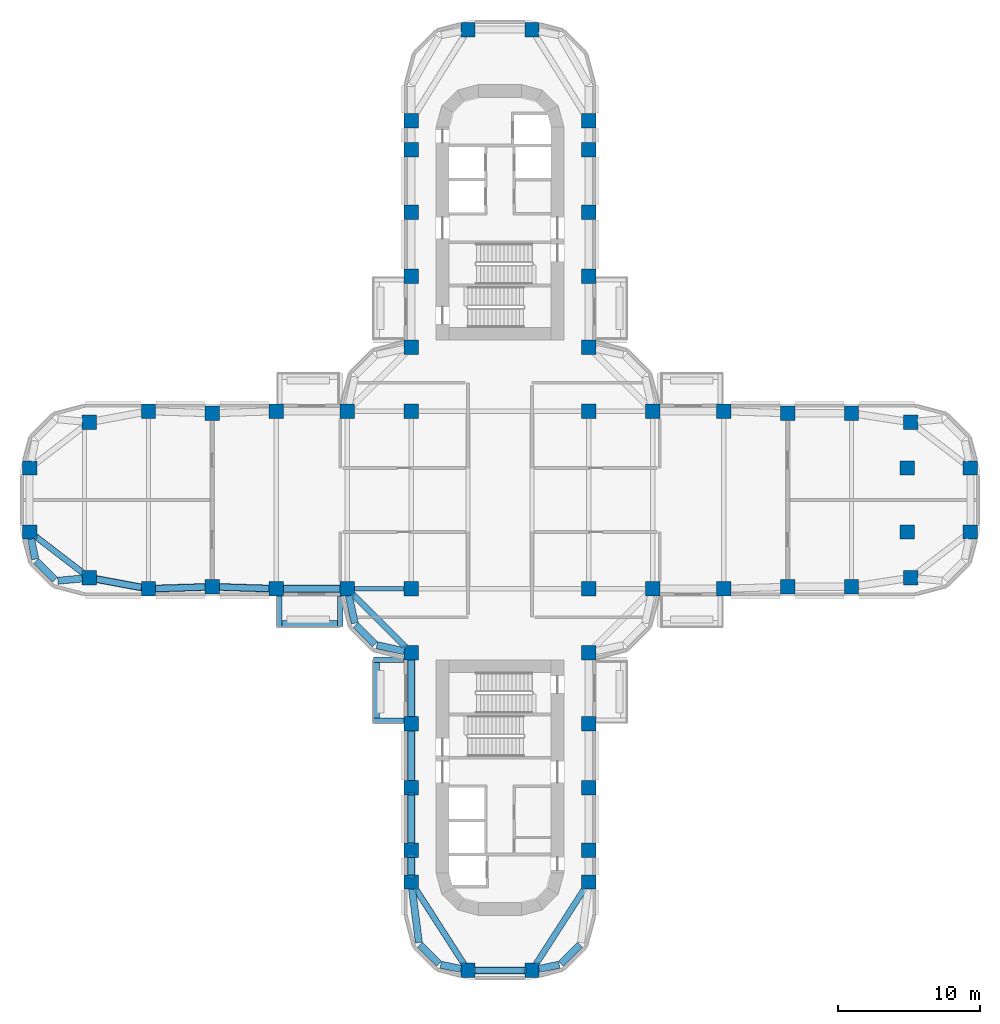
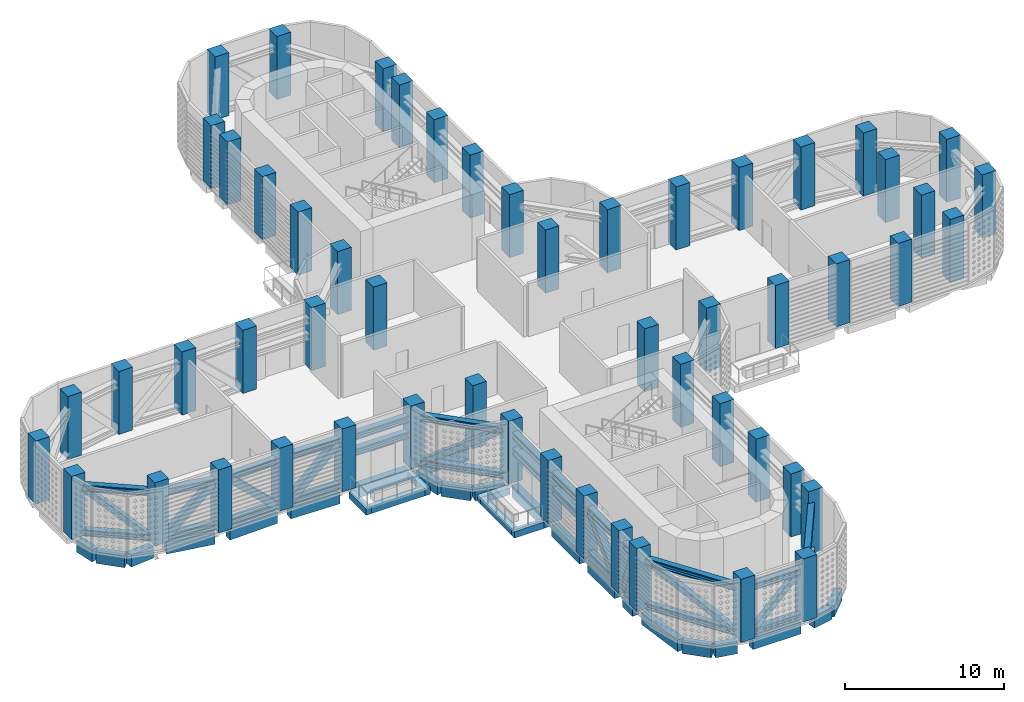
# One storey, part 1 of 20: 54 columns, 35 members, 27 beams.
"""IFC4 building model written with IfcOpenShell, lengths in metres."""

from ifc_helpers import new_model, si_unit, direction, frame, origin, origin_2d, place, context, subcontext, project, spatial, rectangle, hollow_rectangle, i_section, extrude, material, material_profile, profile_set, type_object, element, save


model = new_model("IFC4")

# Units and contexts
model_context = context("Model", 3, precision=1e-05, world=origin(), true_north=direction((0.0, 1.0)))
body_context = subcontext(model_context, "Body", "Model", "MODEL_VIEW")
ifc_project = project(units=[si_unit("LENGTHUNIT", "METRE"), si_unit("AREAUNIT", "SQUARE_METRE"), si_unit("VOLUMEUNIT", "CUBIC_METRE"), si_unit("PLANEANGLEUNIT", "RADIAN"), si_unit("MASSUNIT", "GRAM", prefix="KILO")], contexts=[model_context])

# Site, building, storey
site_placement = place(None, origin())
site = spatial("IfcSite", under=ifc_project, at=site_placement, CompositionType="ELEMENT")
building_placement = place(site_placement, origin())
building = spatial("IfcBuilding", under=site, at=building_placement, Name="Zarbagh Exchange Tower", CompositionType="ELEMENT")
storey_placement = place(building_placement, frame((0.0, 0.0, 81.60009765625)))
storey = spatial("IfcBuildingStorey", under=building, at=storey_placement, Name="L18", CompositionType="ELEMENT", Elevation=81.60009765625)

# Columns
ifc_material_1 = material(Name="Concrete C60/75", Category="concrete")
ifc_material_profile_1 = material_profile(ifc_material_1, rectangle(XDim=1.0, YDim=1.0, at=origin_2d()), Name="RC column 1000 x 1000 C60/75")
ifc_profile_set_1 = profile_set([ifc_material_profile_1], Name="Concrete C60/75")
column_type = type_object("IfcColumnType", Name="RC column 1000 x 1000 C60/75", PredefinedType="COLUMN", material=ifc_profile_set_1)
for number, where, z_axis, x_axis, name in (
    (1, (-33.110107421875, -2.25, 0.0), (0.0, 0.0, 1.0), (1.0, 0.0, 0.0), "C2 10/S"),
    (2, (-33.110107421875, 2.25, 0.0), (0.0, 0.0, 1.0), (1.0, 0.0, 0.0), "C2 10/T"),
    (3, (-28.907958984375, -5.47509765625, 0.0), (0.0, 0.0, 1.0), (1.0, 0.0, 0.0), "C2 11/R"),
    (4, (-28.907958984375, 5.47509765625, 0.0), (0.0, 0.0, 1.0), (1.0, 0.0, 0.0), "C2 11/U"),
    (5, (-24.75, -6.25, 0.0), (0.0, 0.0, 1.0), (1.0, 0.0, 0.0), "C2 12/R"),
    (6, (-24.75, 6.25, 0.0), (0.0, 0.0, 1.0), (1.0, 0.0, 0.0), "C2 12/U"),
    (7, (-20.25, -6.110107421875, 0.0), (0.0, 0.0, 1.0), (1.0, 0.0, 0.0), "C2 13/R"),
    (8, (-20.25, 6.110107421875, 0.0), (0.0, 0.0, 1.0), (1.0, 0.0, 0.0), "C2 13/U"),
    (9, (-15.75, -6.25, 0.0), (0.0, 0.0, 1.0), (1.0, 0.0, 0.0), "C2 14/R"),
    (10, (-15.75, 6.25, 0.0), (0.0, 0.0, 1.0), (1.0, 0.0, 0.0), "C2 14/U"),
    (11, (-10.75, -6.25, 0.0), (0.0, 0.0, 1.0), (1.0, 0.0, 0.0), "C2 15/R"),
    (12, (-10.75, 6.25, 0.0), (0.0, 0.0, 1.0), (1.0, 0.0, 0.0), "C2 15/U"),
    (13, (-6.25, -26.89990234375, 0.0), (0.0, 0.0, 1.0), (1.0, 0.0, 0.0), "C2 16/L"),
    (14, (-6.25, -24.64990234375, 0.0), (0.0, 0.0, 1.0), (1.0, 0.0, 0.0), "C2 16/M"),
    (15, (-6.25, -20.25, 0.0), (0.0, 0.0, 1.0), (1.0, 0.0, 0.0), "C2 16/N"),
    (16, (-6.25, -15.75, 0.0), (0.0, 0.0, 1.0), (1.0, 0.0, 0.0), "C2 16/P"),
    (17, (-6.25, -10.75, 0.0), (0.0, 0.0, 1.0), (1.0, 0.0, 0.0), "C2 16/Q"),
    (18, (-6.25, -6.25, 0.0), (0.0, 0.0, 1.0), (1.0, 0.0, 0.0), "C2 16/R"),
    (19, (-6.25, 6.25, 0.0), (0.0, 0.0, 1.0), (1.0, 0.0, 0.0), "C2 16/U"),
    (20, (-6.25, 10.75, 0.0), (0.0, 0.0, 1.0), (1.0, 0.0, 0.0), "C2 16/V"),
    (21, (-6.25, 15.75, 0.0), (0.0, 0.0, 1.0), (1.0, 0.0, 0.0), "C2 16/W"),
    (22, (-6.25, 20.25, 0.0), (0.0, 0.0, 1.0), (1.0, 0.0, 0.0), "C2 16/X"),
    (23, (-6.25, 24.64990234375, 0.0), (0.0, 0.0, 1.0), (1.0, 0.0, 0.0), "C2 16/Y"),
    (24, (-6.25, 26.699951171875, 0.0), (0.0, 0.0, 1.0), (1.0, 0.0, 0.0), "C2 16/Z"),
    (25, (-2.25, -33.110107421875, 0.0), (0.0, 0.0, 1.0), (1.0, 0.0, 0.0), "C2 17/K"),
    (26, (-2.25, 33.110107421875, 0.0), (0.0, 0.0, 1.0), (1.0, 0.0, 0.0), "C2 17/AA"),
    (27, (2.25, -33.110107421875, 0.0), (0.0, 0.0, 1.0), (1.0, 0.0, 0.0), "C2 18/K"),
    (28, (2.25, 33.110107421875, 0.0), (0.0, 0.0, 1.0), (1.0, 0.0, 0.0), "C2 18/AA"),
    (29, (6.25, -26.89990234375, 0.0), (0.0, 0.0, 1.0), (1.0, 0.0, 0.0), "C2 19/L"),
    (30, (6.25, -24.64990234375, 0.0), (0.0, 0.0, 1.0), (1.0, 0.0, 0.0), "C2 19/M"),
    (31, (6.25, -20.25, 0.0), (0.0, 0.0, 1.0), (1.0, 0.0, 0.0), "C2 19/N"),
    (32, (6.25, -15.75, 0.0), (0.0, 0.0, 1.0), (1.0, 0.0, 0.0), "C2 19/P"),
    (33, (6.25, -10.75, 0.0), (0.0, 0.0, 1.0), (1.0, 0.0, 0.0), "C2 19/Q"),
    (34, (6.25, -6.25, 0.0), (0.0, 0.0, 1.0), (1.0, 0.0, 0.0), "C2 19/R"),
    (35, (6.25, 6.25, 0.0), (0.0, 0.0, 1.0), (1.0, 0.0, 0.0), "C2 19/U"),
    (36, (6.25, 10.75, 0.0), (0.0, 0.0, 1.0), (1.0, 0.0, 0.0), "C2 19/V"),
    (37, (6.25, 15.75, 0.0), (0.0, 0.0, 1.0), (1.0, 0.0, 0.0), "C2 19/W"),
    (38, (6.25, 20.25, 0.0), (0.0, 0.0, 1.0), (1.0, 0.0, 0.0), "C2 19/X"),
    (39, (6.25, 24.64990234375, 0.0), (0.0, 0.0, 1.0), (1.0, 0.0, 0.0), "C2 19/Y"),
    (40, (6.25, 26.699951171875, 0.0), (0.0, 0.0, 1.0), (1.0, 0.0, 0.0), "C2 19/Z"),
    (41, (10.75, -6.25, 0.0), (0.0, 0.0, 1.0), (1.0, 0.0, 0.0), "C2 20/R"),
    (42, (10.75, 6.25, 0.0), (0.0, 0.0, 1.0), (1.0, 0.0, 0.0), "C2 20/U"),
    (43, (15.75, -6.25, 0.0), (0.0, 0.0, 1.0), (1.0, 0.0, 0.0), "C2 21/R"),
    (44, (15.75, 6.25, 0.0), (0.0, 0.0, 1.0), (1.0, 0.0, 0.0), "C2 21/U"),
    (45, (20.25, -6.110107421875, 0.0), (0.0, 0.0, 1.0), (1.0, 0.0, 0.0), "C2 22/R"),
    (46, (20.25, 6.110107421875, 0.0), (0.0, 0.0, 1.0), (1.0, 0.0, 0.0), "C2 22/U"),
    (47, (24.75, -6.110107421875, 0.0), (0.0, 0.0, 1.0), (1.0, 0.0, 0.0), "C2 23/R"),
    (48, (24.75, 6.110107421875, 0.0), (0.0, 0.0, 1.0), (1.0, 0.0, 0.0), "C2 23/U"),
    (49, (28.907958984375, -5.47509765625, 0.0), (0.0, 0.0, 1.0), (1.0, 0.0, 0.0), "C2 24/R"),
    (50, (28.669921875, -2.25, 0.0), (0.0, 0.0, 1.0), (1.0, 0.0, 0.0), "C2 24/S"),
    (51, (28.669921875, 2.25, 0.0), (0.0, 0.0, 1.0), (1.0, 0.0, 0.0), "C2 24/T"),
    (52, (28.907958984375, 5.47509765625, 0.0), (0.0, 0.0, 1.0), (1.0, 0.0, 0.0), "C2 24/U"),
    (53, (33.110107421875, -2.25, 0.0), (0.0, 0.0, 1.0), (1.0, 0.0, 0.0), "C2 25/S"),
    (54, (33.110107421875, 2.25, 0.0), (0.0, 0.0, 1.0), (1.0, 0.0, 0.0), "C2 25/T"),
):
    element("IfcColumn", number, at=place(storey_placement, frame(where, z_axis=z_axis, x_axis=x_axis)), inside=storey, type_object=column_type, Name=name, PredefinedType="COLUMN", context=body_context, shape_type="SweptSolid", body=[
        extrude(rectangle(XDim=1.0, YDim=1.0, at=origin_2d()), origin(), (0.0, 0.0, 1.0), 4.849853515625),
    ])

# Members
ifc_material_2 = material(Name="Steel ASTM A992 Gr 50", Category="steel")
ifc_material_profile_2 = material_profile(ifc_material_2, i_section(OverallWidth=0.4267578125, OverallDepth=0.482666015625, WebThickness=0.05126953125, FlangeThickness=0.08154296875, at=origin_2d()), Name="W14X455")
ifc_profile_set_2 = profile_set([ifc_material_profile_2], Name="Steel ASTM A992 Gr 50")
member_type_1 = type_object("IfcMemberType", Name="Belt truss chord W14X455", PredefinedType="CHORD", material=ifc_profile_set_2)
for number, where, z_axis, x_axis, name in (
    (55, (-2.520751953125, -32.689697265625, 0.2412109375), (-0.541505055543, 0.840697493051, 0.0), (-0.840697493051, -0.541505055543, 0.0), "Belt truss chord"),
    (56, (-2.520751953125, -32.689697265625, 3.688720703125), (-0.541505055543, 0.840697493051, 0.0), (-0.840697493051, -0.541505055543, 0.0), "Belt truss chord"),
):
    element("IfcMember", number, at=place(storey_placement, frame(where, z_axis=z_axis, x_axis=x_axis)), inside=storey, type_object=member_type_1, Name=name, PredefinedType="CHORD", context=body_context, shape_type="SweptSolid", body=[
        extrude(i_section(OverallWidth=0.4267578125, OverallDepth=0.482666015625, WebThickness=0.05126953125, FlangeThickness=0.08154296875, at=origin_2d()), origin(), (0.0, 0.0, 1.0), 6.38671875),
    ])
for number, where, z_axis, x_axis, name in (
    (57, (-6.603515625, -10.396484375, 0.2412109375), (-0.707106781187, 0.707106781187, 0.0), (-0.707106781187, -0.707106781187, 0.0), "Belt truss chord"),
    (58, (-6.603515625, -10.396484375, 3.688720703125), (-0.707106781187, 0.707106781187, 0.0), (-0.707106781187, -0.707106781187, 0.0), "Belt truss chord"),
):
    element("IfcMember", number, at=place(storey_placement, frame(where, z_axis=z_axis, x_axis=x_axis)), inside=storey, type_object=member_type_1, Name=name, PredefinedType="CHORD", context=body_context, shape_type="SweptSolid", body=[
        extrude(i_section(OverallWidth=0.4267578125, OverallDepth=0.482666015625, WebThickness=0.05126953125, FlangeThickness=0.08154296875, at=origin_2d()), origin(), (0.0, 0.0, 1.0), 5.364013671875),
    ])
for number, where, z_axis, x_axis, name in (
    (59, (-29.3046875, -5.170654296875, 0.2412109375), (-0.79328252181, 0.608853710336, 0.0), (-0.608853710336, -0.79328252181, 0.0), "Belt truss chord"),
    (60, (-29.3046875, -5.170654296875, 3.688720703125), (-0.79328252181, 0.608853710336, 0.0), (-0.608853710336, -0.79328252181, 0.0), "Belt truss chord"),
):
    element("IfcMember", number, at=place(storey_placement, frame(where, z_axis=z_axis, x_axis=x_axis)), inside=storey, type_object=member_type_1, Name=name, PredefinedType="CHORD", context=body_context, shape_type="SweptSolid", body=[
        extrude(i_section(OverallWidth=0.4267578125, OverallDepth=0.482666015625, WebThickness=0.05126953125, FlangeThickness=0.08154296875, at=origin_2d()), origin(), (0.0, 0.0, 1.0), 4.296875),
    ])
for number, where, z_axis, x_axis, name in (
    (61, (5.979248046875, -27.3203125, 0.2412109375), (-0.541505055543, -0.840697493051, 0.0), (0.840697493051, -0.541505055543, 0.0), "Belt truss chord"),
    (62, (5.979248046875, -27.3203125, 3.688720703125), (-0.541505055543, -0.840697493051, 0.0), (0.840697493051, -0.541505055543, 0.0), "Belt truss chord"),
):
    element("IfcMember", number, at=place(storey_placement, frame(where, z_axis=z_axis, x_axis=x_axis)), inside=storey, type_object=member_type_1, Name=name, PredefinedType="CHORD", context=body_context, shape_type="SweptSolid", body=[
        extrude(i_section(OverallWidth=0.4267578125, OverallDepth=0.482666015625, WebThickness=0.05126953125, FlangeThickness=0.08154296875, at=origin_2d()), origin(), (0.0, 0.0, 1.0), 6.38671875),
    ])
for number, where, z_axis, x_axis, name in (
    (63, (1.75, -33.110107421875, 0.2412109375), (-1.0, 0.0, 0.0), (0.0, -1.0, 0.0), "Belt truss chord"),
    (64, (1.75, -33.110107421875, 3.688720703125), (-1.0, 0.0, 0.0), (0.0, -1.0, 0.0), "Belt truss chord"),
):
    element("IfcMember", number, at=place(storey_placement, frame(where, z_axis=z_axis, x_axis=x_axis)), inside=storey, type_object=member_type_1, Name=name, PredefinedType="CHORD", context=body_context, shape_type="SweptSolid", body=[
        extrude(i_section(OverallWidth=0.4267578125, OverallDepth=0.482666015625, WebThickness=0.05126953125, FlangeThickness=0.08154296875, at=origin_2d()), origin(), (0.0, 0.0, 1.0), 3.5),
    ])
ifc_material_3 = material(Name="Steel ASTM A500 Gr C", Category="steel")
ifc_material_profile_3 = material_profile(ifc_material_3, hollow_rectangle(XDim=0.406494140625, YDim=0.406494140625, WallThickness=0.017578125, at=origin_2d()), Name="HSS16X16X3/4")
ifc_profile_set_3 = profile_set([ifc_material_profile_3], Name="Steel ASTM A500 Gr C")
member_type_2 = type_object("IfcMemberType", Name="Belt truss diagonal HSS16X16X3/4", PredefinedType="BRACE", material=ifc_profile_set_3)
member_1_placement = place(storey_placement, frame((-2.520751953125, -32.689697265625, 0.2412109375), z_axis=(-0.476516067922, 0.739800782281, 0.475002357414), x_axis=(-0.840697493051, -0.541505055543, 0.0)))
element("IfcMember", 65, at=member_1_placement, inside=storey, type_object=member_type_2, Name="Belt truss diagonal", PredefinedType="BRACE", context=body_context, shape_type="SweptSolid", body=[
    extrude(hollow_rectangle(XDim=0.406494140625, YDim=0.406494140625, WallThickness=0.017578125, at=origin_2d()), origin(), (0.0, 0.0, 1.0), 7.2578125),
])
member_2_placement = place(storey_placement, frame((-10.396484375, -6.603515625, 0.2412109375), z_axis=(0.594844341876, -0.594844341876, 0.540666642097), x_axis=(0.707106781187, 0.707106781187, 0.0)))
element("IfcMember", 66, at=member_2_placement, inside=storey, type_object=member_type_2, Name="Belt truss diagonal", PredefinedType="BRACE", context=body_context, shape_type="SweptSolid", body=[
    extrude(hollow_rectangle(XDim=0.406494140625, YDim=0.406494140625, WallThickness=0.017578125, at=origin_2d()), origin(), (0.0, 0.0, 1.0), 6.37646484375),
])
member_3_placement = place(storey_placement, frame((-29.3046875, -5.170654296875, 0.2412109375), z_axis=(-0.618749784996, 0.47489777224, 0.625796140519), x_axis=(-0.608853710336, -0.79328252181, 0.0)))
element("IfcMember", 67, at=member_3_placement, inside=storey, type_object=member_type_2, Name="Belt truss diagonal", PredefinedType="BRACE", context=body_context, shape_type="SweptSolid", body=[
    extrude(hollow_rectangle(XDim=0.406494140625, YDim=0.406494140625, WallThickness=0.017578125, at=origin_2d()), origin(), (0.0, 0.0, 1.0), 5.509033203125),
])
member_4_placement = place(storey_placement, frame((-1.75, -33.110107421875, 0.2412109375), z_axis=(0.712428822808, 0.0, 0.701744378269), x_axis=(0.0, 1.0, 0.0)))
element("IfcMember", 68, at=member_4_placement, inside=storey, type_object=member_type_2, Name="Belt truss diagonal", PredefinedType="BRACE", context=body_context, shape_type="SweptSolid", body=[
    extrude(hollow_rectangle(XDim=0.406494140625, YDim=0.406494140625, WallThickness=0.017578125, at=origin_2d()), origin(), (0.0, 0.0, 1.0), 4.912841796875),
])

# Beam
ifc_material_profile_4 = material_profile(ifc_material_2, i_section(OverallWidth=0.3046875, OverallDepth=0.91943359375, WebThickness=0.017333984375, FlangeThickness=0.02783203125, at=origin_2d()), Name="W36X170")
ifc_profile_set_4 = profile_set([ifc_material_profile_4], Name="Steel ASTM A992 Gr 50")
beam_type_1 = type_object("IfcBeamType", Name="Floor girder W36X170", PredefinedType="BEAM", material=ifc_profile_set_4)
beam_1_placement = place(storey_placement, frame((-10.25, -6.25, -0.60986328125), z_axis=(1.0, 0.0, 0.0), x_axis=(0.0, 1.0, 0.0)))
element("IfcBeam", 69, at=beam_1_placement, inside=storey, type_object=beam_type_1, Name="Steel girder", PredefinedType="BEAM", context=body_context, shape_type="SweptSolid", body=[
    extrude(i_section(OverallWidth=0.3046875, OverallDepth=0.91943359375, WebThickness=0.017333984375, FlangeThickness=0.02783203125, at=origin_2d()), origin(), (0.0, 0.0, 1.0), 3.5),
])

# Members
ifc_material_profile_5 = material_profile(ifc_material_2, i_section(OverallWidth=0.43701171875, OverallDepth=0.51318359375, WebThickness=0.060546875, FlangeThickness=0.096923828125, at=origin_2d()), Name="W14X550")
ifc_profile_set_5 = profile_set([ifc_material_profile_5], Name="Steel ASTM A992 Gr 50")
member_type_3 = type_object("IfcMemberType", Name="Outrigger truss chord W14X550", PredefinedType="CHORD", material=ifc_profile_set_5)
for number, where, z_axis, x_axis, name in (
    (70, (-6.25, -26.39990234375, 0.256591796875), (0.0, 1.0, 0.0), (-1.0, 0.0, 0.0), "Outrigger truss chord"),
    (71, (-6.25, -26.39990234375, 3.67333984375), (0.0, 1.0, 0.0), (-1.0, 0.0, 0.0), "Outrigger truss chord"),
):
    element("IfcMember", number, at=place(storey_placement, frame(where, z_axis=z_axis, x_axis=x_axis)), inside=storey, type_object=member_type_3, Name=name, PredefinedType="CHORD", context=body_context, shape_type="SweptSolid", body=[
        extrude(i_section(OverallWidth=0.43701171875, OverallDepth=0.51318359375, WebThickness=0.060546875, FlangeThickness=0.096923828125, at=origin_2d()), origin(), (0.0, 0.0, 1.0), 1.25),
    ])
for number, where, z_axis, x_axis, name in (
    (72, (-6.25, -24.14990234375, 0.256591796875), (0.0, 1.0, 0.0), (-1.0, 0.0, 0.0), "Outrigger truss chord"),
    (73, (-6.25, -24.14990234375, 3.67333984375), (0.0, 1.0, 0.0), (-1.0, 0.0, 0.0), "Outrigger truss chord"),
):
    element("IfcMember", number, at=place(storey_placement, frame(where, z_axis=z_axis, x_axis=x_axis)), inside=storey, type_object=member_type_3, Name=name, PredefinedType="CHORD", context=body_context, shape_type="SweptSolid", body=[
        extrude(i_section(OverallWidth=0.43701171875, OverallDepth=0.51318359375, WebThickness=0.060546875, FlangeThickness=0.096923828125, at=origin_2d()), origin(), (0.0, 0.0, 1.0), 3.39990234375),
    ])
for number, where, z_axis, x_axis, name in (
    (74, (-6.25, -19.75, 2.45654296875), (0.0, 1.0, 0.0), (-1.0, 0.0, 0.0), "Outrigger truss chord"),
    (75, (-6.25, -19.75, 3.67333984375), (0.0, 1.0, 0.0), (-1.0, 0.0, 0.0), "Outrigger truss chord"),
):
    element("IfcMember", number, at=place(storey_placement, frame(where, z_axis=z_axis, x_axis=x_axis)), inside=storey, type_object=member_type_3, Name=name, PredefinedType="CHORD", context=body_context, shape_type="SweptSolid", body=[
        extrude(i_section(OverallWidth=0.43701171875, OverallDepth=0.51318359375, WebThickness=0.060546875, FlangeThickness=0.096923828125, at=origin_2d()), origin(), (0.0, 0.0, 1.0), 3.5),
    ])
for number, where, z_axis, x_axis, name in (
    (76, (-6.25, -15.25, 2.45654296875), (0.0, 1.0, 0.0), (-1.0, 0.0, 0.0), "Outrigger truss chord"),
    (77, (-6.25, -15.25, 3.67333984375), (0.0, 1.0, 0.0), (-1.0, 0.0, 0.0), "Outrigger truss chord"),
    (78, (-11.25, -6.25, 2.45654296875), (-1.0, 0.0, 0.0), (0.0, -1.0, 0.0), "Outrigger truss chord"),
    (79, (-11.25, -6.25, 3.67333984375), (-1.0, 0.0, 0.0), (0.0, -1.0, 0.0), "Outrigger truss chord"),
):
    element("IfcMember", number, at=place(storey_placement, frame(where, z_axis=z_axis, x_axis=x_axis)), inside=storey, type_object=member_type_3, Name=name, PredefinedType="CHORD", context=body_context, shape_type="SweptSolid", body=[
        extrude(i_section(OverallWidth=0.43701171875, OverallDepth=0.51318359375, WebThickness=0.060546875, FlangeThickness=0.096923828125, at=origin_2d()), origin(), (0.0, 0.0, 1.0), 4.0),
    ])
for number, where, z_axis, x_axis, name in (
    (80, (-16.249755859375, -6.234619140625, 0.256591796875), (-0.999514385708, 0.031160756759, 0.0), (-0.031160756759, -0.999514385708, 0.0), "Outrigger truss chord"),
    (81, (-16.249755859375, -6.234619140625, 3.67333984375), (-0.999514385708, 0.031160756759, 0.0), (-0.031160756759, -0.999514385708, 0.0), "Outrigger truss chord"),
    (82, (-20.749755859375, -6.12548828125, 0.256591796875), (-0.999514385708, -0.031160756759, 0.0), (0.031160756759, -0.999514385708, 0.0), "Outrigger truss chord"),
    (83, (-20.749755859375, -6.12548828125, 3.67333984375), (-0.999514385708, -0.031160756759, 0.0), (0.031160756759, -0.999514385708, 0.0), "Outrigger truss chord"),
):
    element("IfcMember", number, at=place(storey_placement, frame(where, z_axis=z_axis, x_axis=x_axis)), inside=storey, type_object=member_type_3, Name=name, PredefinedType="CHORD", context=body_context, shape_type="SweptSolid", body=[
        extrude(i_section(OverallWidth=0.43701171875, OverallDepth=0.51318359375, WebThickness=0.060546875, FlangeThickness=0.096923828125, at=origin_2d()), origin(), (0.0, 0.0, 1.0), 3.502197265625),
    ])
for number, where, z_axis, x_axis, name in (
    (84, (-25.241455078125, -6.158447265625, 0.256591796875), (-0.983069300761, 0.183234139565, 0.0), (-0.183234139565, -0.983069300761, 0.0), "Outrigger truss chord"),
    (85, (-25.241455078125, -6.158447265625, 3.67333984375), (-0.983069300761, 0.183234139565, 0.0), (-0.183234139565, -0.983069300761, 0.0), "Outrigger truss chord"),
):
    element("IfcMember", number, at=place(storey_placement, frame(where, z_axis=z_axis, x_axis=x_axis)), inside=storey, type_object=member_type_3, Name=name, PredefinedType="CHORD", context=body_context, shape_type="SweptSolid", body=[
        extrude(i_section(OverallWidth=0.43701171875, OverallDepth=0.51318359375, WebThickness=0.060546875, FlangeThickness=0.096923828125, at=origin_2d()), origin(), (0.0, 0.0, 1.0), 3.229736328125),
    ])
ifc_material_4 = material(Name="Steel ASTM A1085 Grade A", Category="steel")
ifc_material_profile_6 = material_profile(ifc_material_4, hollow_rectangle(XDim=0.508056640625, YDim=0.508056640625, WallThickness=0.025390625, at=origin_2d()), Name="HSS20X20X1")
ifc_profile_set_6 = profile_set([ifc_material_profile_6], Name="Steel ASTM A1085 Grade A")
member_type_4 = type_object("IfcMemberType", Name="Outrigger truss diagonal HSS20X20X1", PredefinedType="BRACE", material=ifc_profile_set_6)
member_5_placement = place(storey_placement, frame((-6.25, -25.14990234375, 0.256591796875), z_axis=(0.0, -0.343574313838, 0.93912549261), x_axis=(1.0, 0.0, 0.0)))
element("IfcMember", 86, at=member_5_placement, inside=storey, type_object=member_type_4, Name="Outrigger truss diagonal", PredefinedType="BRACE", context=body_context, shape_type="SweptSolid", body=[
    extrude(hollow_rectangle(XDim=0.508056640625, YDim=0.508056640625, WallThickness=0.025390625, at=origin_2d()), origin(), (0.0, 0.0, 1.0), 3.63818359375),
])
member_6_placement = place(storey_placement, frame((-6.25, -24.14990234375, 0.256591796875), z_axis=(0.0, 0.705357183914, 0.708852060095), x_axis=(-1.0, 0.0, 0.0)))
element("IfcMember", 87, at=member_6_placement, inside=storey, type_object=member_type_4, Name="Outrigger truss diagonal", PredefinedType="BRACE", context=body_context, shape_type="SweptSolid", body=[
    extrude(hollow_rectangle(XDim=0.508056640625, YDim=0.508056640625, WallThickness=0.025390625, at=origin_2d()), origin(), (0.0, 0.0, 1.0), 4.820068359375),
])
for number, where, z_axis, x_axis, name in (
    (88, (-19.750244140625, -6.12548828125, 0.256591796875), (0.715436570593, -0.022304376277, 0.698321579401), (0.031160756759, 0.999514385708, 0.0), "Outrigger truss diagonal"),
    (89, (-20.749755859375, -6.12548828125, 0.256591796875), (-0.715436570593, -0.022304376277, 0.698321579401), (0.031160756759, -0.999514385708, 0.0), "Outrigger truss diagonal"),
):
    element("IfcMember", number, at=place(storey_placement, frame(where, z_axis=z_axis, x_axis=x_axis)), inside=storey, type_object=member_type_4, Name=name, PredefinedType="BRACE", context=body_context, shape_type="SweptSolid", body=[
        extrude(hollow_rectangle(XDim=0.508056640625, YDim=0.508056640625, WallThickness=0.025390625, at=origin_2d()), origin(), (0.0, 0.0, 1.0), 4.892822265625),
    ])
member_7_placement = place(storey_placement, frame((-28.41650390625, -5.566650390625, 0.256591796875), z_axis=(0.675308083523, -0.125870572431, 0.726715619293), x_axis=(0.183234139565, 0.983069300761, 0.0)))
element("IfcMember", 90, at=member_7_placement, inside=storey, type_object=member_type_4, Name="Outrigger truss diagonal", PredefinedType="BRACE", context=body_context, shape_type="SweptSolid", body=[
    extrude(hollow_rectangle(XDim=0.508056640625, YDim=0.508056640625, WallThickness=0.025390625, at=origin_2d()), origin(), (0.0, 0.0, 1.0), 4.70166015625),
])

# Beams
ifc_material_5 = material(Name="Concrete C40/50", Category="concrete")
ifc_material_profile_7 = material_profile(ifc_material_5, rectangle(XDim=0.39990234375, YDim=0.5, at=origin_2d()), Name="RC bay edge beam 400 x 500 C40/50")
ifc_profile_set_7 = profile_set([ifc_material_profile_7], Name="Concrete C40/50")
beam_type_2 = type_object("IfcBeamType", Name="RC bay edge beam 400 x 500 C40/50", PredefinedType="BEAM", material=ifc_profile_set_7)
for number, where, z_axis, x_axis, name in (
    (91, (-8.699951171875, -15.35009765625, -0.400146484375), (0.0, 1.0, 0.0), (-1.0, 0.0, 0.0), "RC bay edge beam"),
    (92, (-15.35009765625, -8.699951171875, -0.400146484375), (1.0, 0.0, 0.0), (0.0, 1.0, 0.0), "RC bay edge beam"),
):
    element("IfcBeam", number, at=place(storey_placement, frame(where, z_axis=z_axis, x_axis=x_axis)), inside=storey, type_object=beam_type_2, Name=name, PredefinedType="BEAM", context=body_context, shape_type="SweptSolid", body=[
        extrude(rectangle(XDim=0.39990234375, YDim=0.5, at=origin_2d()), origin(), (0.0, 0.0, 1.0), 3.900146484375),
    ])
ifc_material_profile_8 = material_profile(ifc_material_5, rectangle(XDim=0.39990234375, YDim=0.5, at=origin_2d()), Name="RC cantilever beam 400 x 500 C40/50")
ifc_profile_set_8 = profile_set([ifc_material_profile_8], Name="Concrete C40/50")
beam_type_3 = type_object("IfcBeamType", Name="RC cantilever beam 400 x 500 C40/50", PredefinedType="BEAM", material=ifc_profile_set_8)
for number, where, z_axis, x_axis, name in (
    (93, (-6.75, -15.550048828125, -0.400146484375), (-1.0, 0.0, 0.0), (0.0, -1.0, 0.0), "RC cantilever beam"),
    (94, (-6.75, -11.25, -0.400146484375), (-1.0, 0.0, 0.0), (0.0, -1.0, 0.0), "RC cantilever beam"),
    (95, (-15.550048828125, -6.75, -0.400146484375), (0.0, -1.0, 0.0), (1.0, 0.0, 0.0), "RC cantilever beam"),
    (96, (-11.25, -6.75, -0.400146484375), (0.0, -1.0, 0.0), (1.0, 0.0, 0.0), "RC cantilever beam"),
):
    element("IfcBeam", number, at=place(storey_placement, frame(where, z_axis=z_axis, x_axis=x_axis)), inside=storey, type_object=beam_type_3, Name=name, PredefinedType="BEAM", context=body_context, shape_type="SweptSolid", body=[
        extrude(rectangle(XDim=0.39990234375, YDim=0.5, at=origin_2d()), origin(), (0.0, 0.0, 1.0), 2.14990234375),
    ])
ifc_material_profile_9 = material_profile(ifc_material_1, rectangle(XDim=0.5, YDim=0.89990234375, at=origin_2d()), Name="RC spandrel beam 500 x 900 C60/75")
ifc_profile_set_9 = profile_set([ifc_material_profile_9], Name="Concrete C60/75")
beam_type_4 = type_object("IfcBeamType", Name="RC spandrel beam 500 x 900 C60/75", PredefinedType="SPANDREL", material=ifc_profile_set_9)
beam_2_placement = place(storey_placement, frame((-2.73974609375, -33.0087890625, -0.60009765625), z_axis=(-0.9793713725, 0.202068589164, 0.0), x_axis=(-0.202068589164, -0.9793713725, 0.0)))
element("IfcBeam", 97, at=beam_2_placement, inside=storey, type_object=beam_type_4, Name="RC spandrel beam", PredefinedType="SPANDREL", context=body_context, shape_type="SweptSolid", body=[
    extrude(rectangle(XDim=0.5, YDim=0.89990234375, at=origin_2d()), origin(), (0.0, 0.0, 1.0), 1.458251953125),
])
beam_3_placement = place(storey_placement, frame((-4.294189453125, -32.64599609375, -0.60009765625), z_axis=(-0.707042571718, 0.707170984825, 0.0), x_axis=(-0.707170984825, -0.707042571718, 0.0)))
element("IfcBeam", 98, at=beam_3_placement, inside=storey, type_object=beam_type_4, Name="RC spandrel beam", PredefinedType="SPANDREL", context=body_context, shape_type="SweptSolid", body=[
    extrude(rectangle(XDim=0.5, YDim=0.89990234375, at=origin_2d()), origin(), (0.0, 0.0, 1.0), 1.901123046875),
])
beam_4_placement = place(storey_placement, frame((-5.709716796875, -31.156494140625, -0.60009765625), z_axis=(-0.12591317752, 0.992041265133, 0.0), x_axis=(-0.992041265133, -0.12591317752, 0.0)))
element("IfcBeam", 99, at=beam_4_placement, inside=storey, type_object=beam_type_4, Name="RC spandrel beam", PredefinedType="SPANDREL", context=body_context, shape_type="SweptSolid", body=[
    extrude(rectangle(XDim=0.5, YDim=0.89990234375, at=origin_2d()), origin(), (0.0, 0.0, 1.0), 3.790771484375),
])
beam_5_placement = place(storey_placement, frame((-6.25, -26.39990234375, -0.60009765625), z_axis=(0.0, 1.0, 0.0), x_axis=(-1.0, 0.0, 0.0)))
element("IfcBeam", 100, at=beam_5_placement, inside=storey, type_object=beam_type_4, Name="RC spandrel beam", PredefinedType="SPANDREL", context=body_context, shape_type="SweptSolid", body=[
    extrude(rectangle(XDim=0.5, YDim=0.89990234375, at=origin_2d()), origin(), (0.0, 0.0, 1.0), 1.25),
])
beam_6_placement = place(storey_placement, frame((-6.25, -24.14990234375, -0.60009765625), z_axis=(0.0, 1.0, 0.0), x_axis=(-1.0, 0.0, 0.0)))
element("IfcBeam", 101, at=beam_6_placement, inside=storey, type_object=beam_type_4, Name="RC spandrel beam", PredefinedType="SPANDREL", context=body_context, shape_type="SweptSolid", body=[
    extrude(rectangle(XDim=0.5, YDim=0.89990234375, at=origin_2d()), origin(), (0.0, 0.0, 1.0), 3.39990234375),
])
beam_7_placement = place(storey_placement, frame((-6.25, -19.75, -0.60009765625), z_axis=(0.0, 1.0, 0.0), x_axis=(-1.0, 0.0, 0.0)))
element("IfcBeam", 102, at=beam_7_placement, inside=storey, type_object=beam_type_4, Name="RC spandrel beam", PredefinedType="SPANDREL", context=body_context, shape_type="SweptSolid", body=[
    extrude(rectangle(XDim=0.5, YDim=0.89990234375, at=origin_2d()), origin(), (0.0, 0.0, 1.0), 3.5),
])
beam_8_placement = place(storey_placement, frame((-6.25, -15.25, -0.60009765625), z_axis=(0.0, 1.0, 0.0), x_axis=(-1.0, 0.0, 0.0)))
element("IfcBeam", 103, at=beam_8_placement, inside=storey, type_object=beam_type_4, Name="RC spandrel beam", PredefinedType="SPANDREL", context=body_context, shape_type="SweptSolid", body=[
    extrude(rectangle(XDim=0.5, YDim=0.89990234375, at=origin_2d()), origin(), (0.0, 0.0, 1.0), 4.0),
])
beam_9_placement = place(storey_placement, frame((-6.73828125, -10.64208984375, -0.60009765625), z_axis=(-0.976375426825, 0.216081063242, 0.0), x_axis=(-0.216081063242, -0.976375426825, 0.0)))
element("IfcBeam", 104, at=beam_9_placement, inside=storey, type_object=beam_type_4, Name="RC spandrel beam", PredefinedType="SPANDREL", context=body_context, shape_type="SweptSolid", body=[
    extrude(rectangle(XDim=0.5, YDim=0.89990234375, at=origin_2d()), origin(), (0.0, 0.0, 1.0), 1.978271484375),
])
beam_10_placement = place(storey_placement, frame((-8.792724609375, -10.147216796875, -0.60009765625), z_axis=(-0.707106781187, 0.707106781187, 0.0), x_axis=(-0.707106781187, -0.707106781187, 0.0)))
element("IfcBeam", 105, at=beam_10_placement, inside=storey, type_object=beam_type_4, Name="RC spandrel beam", PredefinedType="SPANDREL", context=body_context, shape_type="SweptSolid", body=[
    extrude(rectangle(XDim=0.5, YDim=0.89990234375, at=origin_2d()), origin(), (0.0, 0.0, 1.0), 1.91552734375),
])
beam_11_placement = place(storey_placement, frame((-10.214599609375, -8.669921875, -0.60009765625), z_axis=(-0.216081063242, 0.976375426825, 0.0), x_axis=(-0.976375426825, -0.216081063242, 0.0)))
element("IfcBeam", 106, at=beam_11_placement, inside=storey, type_object=beam_type_4, Name="RC spandrel beam", PredefinedType="SPANDREL", context=body_context, shape_type="SweptSolid", body=[
    extrude(rectangle(XDim=0.5, YDim=0.89990234375, at=origin_2d()), origin(), (0.0, 0.0, 1.0), 1.978271484375),
])
beam_12_placement = place(storey_placement, frame((-11.25, -6.25, -0.60009765625), z_axis=(-1.0, 0.0, 0.0), x_axis=(0.0, -1.0, 0.0)))
element("IfcBeam", 107, at=beam_12_placement, inside=storey, type_object=beam_type_4, Name="RC spandrel beam", PredefinedType="SPANDREL", context=body_context, shape_type="SweptSolid", body=[
    extrude(rectangle(XDim=0.5, YDim=0.89990234375, at=origin_2d()), origin(), (0.0, 0.0, 1.0), 4.0),
])
for number, where, z_axis, x_axis, name in (
    (108, (-16.249755859375, -6.234619140625, -0.60009765625), (-0.999514385708, 0.031160756759, 0.0), (-0.031160756759, -0.999514385708, 0.0), "RC spandrel beam"),
    (109, (-20.749755859375, -6.12548828125, -0.60009765625), (-0.999514385708, -0.031160756759, 0.0), (0.031160756759, -0.999514385708, 0.0), "RC spandrel beam"),
):
    element("IfcBeam", number, at=place(storey_placement, frame(where, z_axis=z_axis, x_axis=x_axis)), inside=storey, type_object=beam_type_4, Name=name, PredefinedType="SPANDREL", context=body_context, shape_type="SweptSolid", body=[
        extrude(rectangle(XDim=0.5, YDim=0.89990234375, at=origin_2d()), origin(), (0.0, 0.0, 1.0), 3.502197265625),
    ])
beam_13_placement = place(storey_placement, frame((-25.241455078125, -6.158447265625, -0.60009765625), z_axis=(-0.983069300761, 0.183234139565, 0.0), x_axis=(-0.183234139565, -0.983069300761, 0.0)))
element("IfcBeam", 110, at=beam_13_placement, inside=storey, type_object=beam_type_4, Name="RC spandrel beam", PredefinedType="SPANDREL", context=body_context, shape_type="SweptSolid", body=[
    extrude(rectangle(XDim=0.5, YDim=0.89990234375, at=origin_2d()), origin(), (0.0, 0.0, 1.0), 3.229736328125),
])
beam_14_placement = place(storey_placement, frame((-29.40576171875, -5.522705078125, -0.60009765625), z_axis=(-0.995431032456, -0.095483294999, 0.0), x_axis=(0.095483294999, -0.995431032456, 0.0)))
element("IfcBeam", 111, at=beam_14_placement, inside=storey, type_object=beam_type_4, Name="RC spandrel beam", PredefinedType="SPANDREL", context=body_context, shape_type="SweptSolid", body=[
    extrude(rectangle(XDim=0.5, YDim=0.89990234375, at=origin_2d()), origin(), (0.0, 0.0, 1.0), 1.725830078125),
])
beam_15_placement = place(storey_placement, frame((-31.324462890625, -5.615478515625, -0.60009765625), z_axis=(-0.707172099812, 0.707041456527, 0.0), x_axis=(-0.707041456527, -0.707172099812, 0.0)))
element("IfcBeam", 112, at=beam_15_placement, inside=storey, type_object=beam_type_4, Name="RC spandrel beam", PredefinedType="SPANDREL", context=body_context, shape_type="SweptSolid", body=[
    extrude(rectangle(XDim=0.5, YDim=0.89990234375, at=origin_2d()), origin(), (0.0, 0.0, 1.0), 1.86865234375),
])
beam_16_placement = place(storey_placement, frame((-32.714111328125, -4.16796875, -0.60009765625), z_axis=(-0.202068589164, 0.9793713725, 0.0), x_axis=(-0.9793713725, -0.202068589164, 0.0)))
element("IfcBeam", 113, at=beam_16_placement, inside=storey, type_object=beam_type_4, Name="RC spandrel beam", PredefinedType="SPANDREL", context=body_context, shape_type="SweptSolid", body=[
    extrude(rectangle(XDim=0.5, YDim=0.89990234375, at=origin_2d()), origin(), (0.0, 0.0, 1.0), 1.458251953125),
])
beam_17_placement = place(storey_placement, frame((5.638427734375, -31.301513671875, -0.60009765625), z_axis=(-0.707042571718, -0.707170984825, 0.0), x_axis=(0.707170984825, -0.707042571718, 0.0)))
element("IfcBeam", 114, at=beam_17_placement, inside=storey, type_object=beam_type_4, Name="RC spandrel beam", PredefinedType="SPANDREL", context=body_context, shape_type="SweptSolid", body=[
    extrude(rectangle(XDim=0.5, YDim=0.89990234375, at=origin_2d()), origin(), (0.0, 0.0, 1.0), 1.901123046875),
])
beam_18_placement = place(storey_placement, frame((4.16796875, -32.714111328125, -0.60009765625), z_axis=(-0.9793713725, -0.202068589164, 0.0), x_axis=(0.202068589164, -0.9793713725, 0.0)))
element("IfcBeam", 115, at=beam_18_placement, inside=storey, type_object=beam_type_4, Name="RC spandrel beam", PredefinedType="SPANDREL", context=body_context, shape_type="SweptSolid", body=[
    extrude(rectangle(XDim=0.5, YDim=0.89990234375, at=origin_2d()), origin(), (0.0, 0.0, 1.0), 1.458251953125),
])
beam_19_placement = place(storey_placement, frame((1.75, -33.110107421875, -0.60009765625), z_axis=(-1.0, 0.0, 0.0), x_axis=(0.0, -1.0, 0.0)))
element("IfcBeam", 116, at=beam_19_placement, inside=storey, type_object=beam_type_4, Name="RC spandrel beam", PredefinedType="SPANDREL", context=body_context, shape_type="SweptSolid", body=[
    extrude(rectangle(XDim=0.5, YDim=0.89990234375, at=origin_2d()), origin(), (0.0, 0.0, 1.0), 3.5),
])

save(model, "model.ifc")
